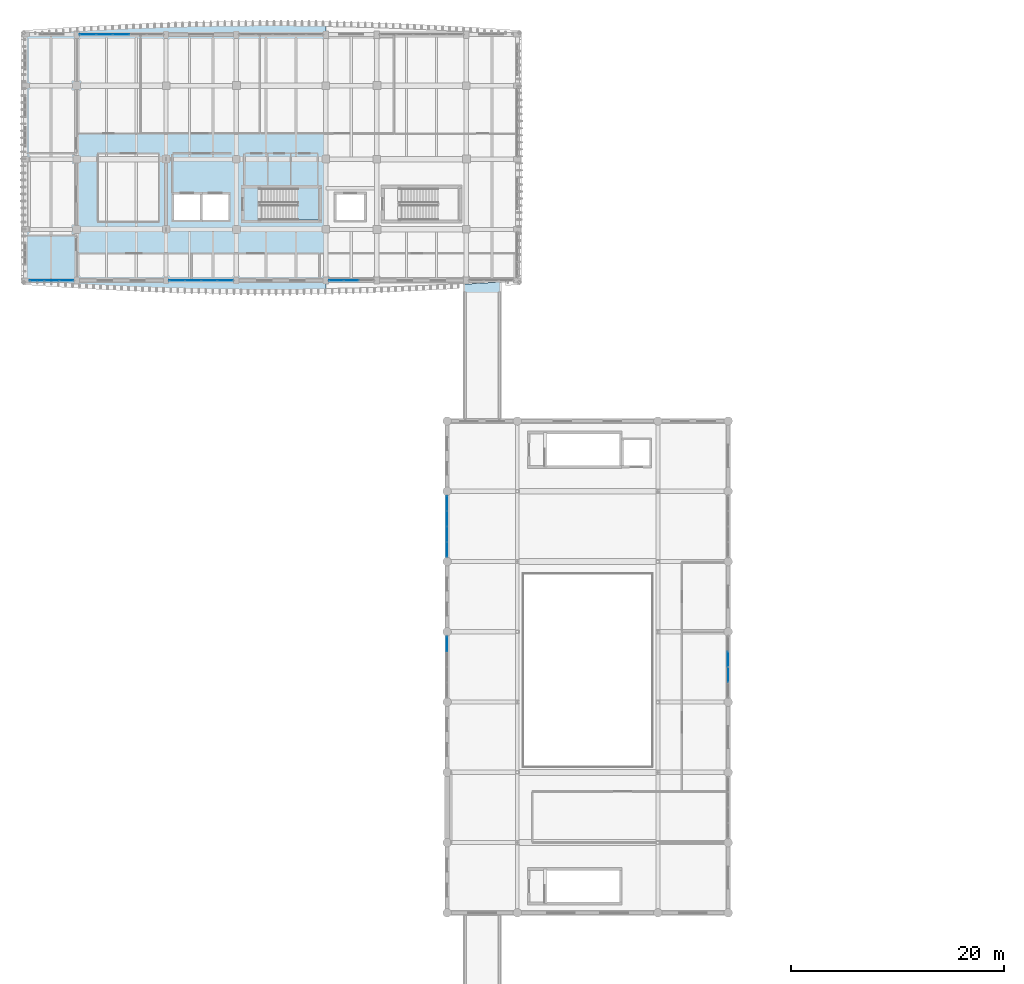
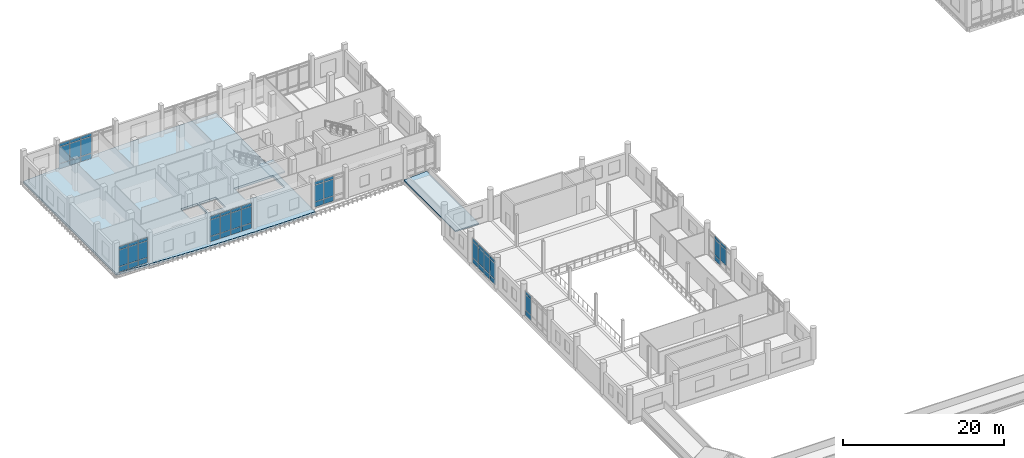
# One storey, part 35 of 76: 56 plates, 3 slabs, 8 elements without a shape of their own.
"""IFC4 building model written with IfcOpenShell, lengths in metres."""

from ifc_helpers import new_model, si_unit, direction, frame, origin, origin_2d, place, context, subcontext, project, spatial, polyline, rectangle, outline, extrude, material, layer, layer_set, type_object, element, aggregate, save


model = new_model("IFC4")

# Units and contexts
model_context = context("Model", 3, precision=1e-05, world=origin(), true_north=direction((0.0, 1.0)))
body_context = subcontext(model_context, "Body", "Model", "MODEL_VIEW")
ifc_project = project(units=[si_unit("LENGTHUNIT", "METRE"), si_unit("AREAUNIT", "SQUARE_METRE"), si_unit("VOLUMEUNIT", "CUBIC_METRE"), si_unit("PLANEANGLEUNIT", "RADIAN"), si_unit("MASSUNIT", "GRAM", prefix="KILO")], contexts=[model_context])

# Site, building, storey
site_placement = place(None, origin())
site = spatial("IfcSite", under=ifc_project, at=site_placement, CompositionType="ELEMENT")
building_placement = place(site_placement, origin())
building = spatial("IfcBuilding", under=site, at=building_placement, Name="Dornvale Research Institute", CompositionType="ELEMENT")
storey_placement = place(building_placement, frame((0.0, 0.0, 15.0)))
storey = spatial("IfcBuildingStorey", under=building, at=storey_placement, Name="L03", CompositionType="ELEMENT", Elevation=15.0)

# Curtain wall, plate
ifc_material_1 = material(Name="Low-E Argon Double Insulating Glazing Unit", Category="glass")
curtain_wall_type_1 = type_object("IfcCurtainWallType", Name="UnitisedCurtainWall_V2_5810x3820", PredefinedType="USERDEFINED", material=ifc_material_1)
curtain_wall_1_placement = place(storey_placement, origin())
curtain_wall_1 = element("IfcCurtainWall", 1, at=curtain_wall_1_placement, inside=storey, type_object=curtain_wall_type_1, Name="L03 V2 unitised curtain wall CW-03 #15", ObjectType="UNITISED CURTAIN WALL", PredefinedType="USERDEFINED")
ifc_material_2 = material(Name="Insulated Ceramic-Frit Spandrel Glass Panel", Category="glass")
ifc_layer_1 = layer(ifc_material_2, 0.0419921875)
ifc_layer_set_1 = layer_set([ifc_layer_1], Name="Insulated Ceramic-Frit Spandrel Glass Panel")
plate_type_1 = type_object("IfcPlateType", Name="CurtainPanel_Spandrel_42", PredefinedType="CURTAIN_PANEL", material=ifc_layer_set_1)
plate_1_placement = place(storey_placement, frame((39.60009765625, 64.862548828125, 0.06494140625), z_axis=(0.0, 0.0, 1.0), x_axis=(0.0, 1.0, 0.0)))
plate_1 = element("IfcPlate", 2, at=plate_1_placement, type_object=plate_type_1, Name="CW-03 panel 4.1", PredefinedType="CURTAIN_PANEL", context=body_context, shape_type="SweptSolid", body=[
    extrude(rectangle(XDim=1.35498046875, YDim=0.0419921875, at=origin_2d()), origin(), (0.0, 0.0, 1.0), 0.75244140625),
])

# Curtain wall, plates
curtain_wall_2_placement = place(storey_placement, origin())
curtain_wall_2 = element("IfcCurtainWall", 3, at=curtain_wall_2_placement, inside=storey, type_object=curtain_wall_type_1, Name="L03 V2 unitised curtain wall CW-03 #16", ObjectType="UNITISED CURTAIN WALL", PredefinedType="USERDEFINED")
plate_2_placement = place(storey_placement, frame((39.60009765625, 73.737548828125, 0.06494140625), z_axis=(0.0, 0.0, 1.0), x_axis=(0.0, 1.0, 0.0)))
plate_2 = element("IfcPlate", 4, at=plate_2_placement, type_object=plate_type_1, Name="CW-03 panel 1.1", PredefinedType="CURTAIN_PANEL", context=body_context, shape_type="SweptSolid", body=[
    extrude(rectangle(XDim=1.35498046875, YDim=0.0419921875, at=origin_2d()), origin(), (0.0, 0.0, 1.0), 0.75244140625),
])
plate_3_placement = place(storey_placement, frame((39.60009765625, 75.173828125, 0.06494140625), z_axis=(0.0, 0.0, 1.0), x_axis=(0.0, 1.0, 0.0)))
plate_3 = element("IfcPlate", 5, at=plate_3_placement, type_object=plate_type_1, Name="CW-03 panel 2.1", PredefinedType="CURTAIN_PANEL", context=body_context, shape_type="SweptSolid", body=[
    extrude(rectangle(XDim=1.387451171875, YDim=0.0419921875, at=origin_2d()), origin(), (0.0, 0.0, 1.0), 0.75244140625),
])
plate_4_placement = place(storey_placement, frame((39.60009765625, 76.626220703125, 0.06494140625), z_axis=(0.0, 0.0, 1.0), x_axis=(0.0, 1.0, 0.0)))
plate_4 = element("IfcPlate", 6, at=plate_4_placement, type_object=plate_type_1, Name="CW-03 panel 3.1", PredefinedType="CURTAIN_PANEL", context=body_context, shape_type="SweptSolid", body=[
    extrude(rectangle(XDim=1.387451171875, YDim=0.0419921875, at=origin_2d()), origin(), (0.0, 0.0, 1.0), 0.75244140625),
])
plate_5_placement = place(storey_placement, frame((39.60009765625, 78.0625, 0.06494140625), z_axis=(0.0, 0.0, 1.0), x_axis=(0.0, 1.0, 0.0)))
plate_5 = element("IfcPlate", 7, at=plate_5_placement, type_object=plate_type_1, Name="CW-03 panel 4.1", PredefinedType="CURTAIN_PANEL", context=body_context, shape_type="SweptSolid", body=[
    extrude(rectangle(XDim=1.35498046875, YDim=0.0419921875, at=origin_2d()), origin(), (0.0, 0.0, 1.0), 0.75244140625),
])

# Curtain wall, plate
curtain_wall_3_placement = place(storey_placement, origin())
curtain_wall_3 = element("IfcCurtainWall", 8, at=curtain_wall_3_placement, inside=storey, type_object=curtain_wall_type_1, Name="L03 V2 unitised curtain wall CW-03 #18", ObjectType="UNITISED CURTAIN WALL", PredefinedType="USERDEFINED")
plate_6_placement = place(storey_placement, frame((66.0, 63.42626953125, 0.06494140625), z_axis=(0.0, 0.0, 1.0), x_axis=(0.0, -1.0, 0.0)))
plate_6 = element("IfcPlate", 9, at=plate_6_placement, type_object=plate_type_1, Name="CW-03 panel 2.1", PredefinedType="CURTAIN_PANEL", context=body_context, shape_type="SweptSolid", body=[
    extrude(rectangle(XDim=1.387451171875, YDim=0.0419921875, at=origin_2d()), origin(), (0.0, 0.0, 1.0), 0.75244140625),
])

# Curtain wall, plates
ifc_material_3 = material(Name="Low-E Argon Double Insulating Glazing Unit", Category="glass")
curtain_wall_type_2 = type_object("IfcCurtainWallType", Name="UnitisedCurtainWall_V5_7900x3950", PredefinedType="USERDEFINED", material=ifc_material_3)
curtain_wall_4_placement = place(storey_placement, origin())
curtain_wall_4 = element("IfcCurtainWall", 10, at=curtain_wall_4_placement, inside=storey, type_object=curtain_wall_type_2, Name="L03 V5 unitised curtain wall CW-24 #148", ObjectType="UNITISED CURTAIN WALL", PredefinedType="USERDEFINED")
plate_7_placement = place(storey_placement, frame((5.856201171875, 122.10009765625, 0.06494140625), z_axis=(0.0, 0.0, 1.0), x_axis=(1.0, 0.0, 0.0)))
plate_7 = element("IfcPlate", 11, at=plate_7_placement, type_object=plate_type_1, Name="CW-24 panel 1.1", PredefinedType="CURTAIN_PANEL", context=body_context, shape_type="SweptSolid", body=[
    extrude(rectangle(XDim=1.482421875, YDim=0.0419921875, at=origin_2d()), origin(), (0.0, 0.0, 1.0), 0.75244140625),
])
plate_8_placement = place(storey_placement, frame((7.419921875, 122.10009765625, 0.06494140625), z_axis=(0.0, 0.0, 1.0), x_axis=(1.0, 0.0, 0.0)))
plate_8 = element("IfcPlate", 12, at=plate_8_placement, type_object=plate_type_1, Name="CW-24 panel 2.1", PredefinedType="CURTAIN_PANEL", context=body_context, shape_type="SweptSolid", body=[
    extrude(rectangle(XDim=1.514892578125, YDim=0.0419921875, at=origin_2d()), origin(), (0.0, 0.0, 1.0), 0.75244140625),
])
plate_9_placement = place(storey_placement, frame((9.0, 122.10009765625, 0.06494140625), z_axis=(0.0, 0.0, 1.0), x_axis=(1.0, 0.0, 0.0)))
plate_9 = element("IfcPlate", 13, at=plate_9_placement, type_object=plate_type_1, Name="CW-24 panel 3.1", PredefinedType="CURTAIN_PANEL", context=body_context, shape_type="SweptSolid", body=[
    extrude(rectangle(XDim=1.514892578125, YDim=0.0419921875, at=origin_2d()), origin(), (0.0, 0.0, 1.0), 0.75244140625),
])

ifc_material_4 = material(Name="Low-E Argon Double Insulating Glazing Unit", Category="glass")
curtain_wall_type_3 = type_object("IfcCurtainWallType", Name="UnitisedCurtainWall_V5_4300x3950", PredefinedType="USERDEFINED", material=ifc_material_4)
curtain_wall_5_placement = place(storey_placement, origin())
curtain_wall_5 = element("IfcCurtainWall", 14, at=curtain_wall_5_placement, inside=storey, type_object=curtain_wall_type_3, Name="L03 V5 unitised curtain wall CW-25 #154", ObjectType="UNITISED CURTAIN WALL", PredefinedType="USERDEFINED")
plate_10_placement = place(storey_placement, frame((30.60009765625, 99.0, 0.06494140625), z_axis=(0.0, 0.0, 1.0), x_axis=(-1.0, 0.0, 0.0)))
plate_10 = element("IfcPlate", 15, at=plate_10_placement, type_object=plate_type_1, Name="CW-25 panel 2.1", PredefinedType="CURTAIN_PANEL", context=body_context, shape_type="SweptSolid", body=[
    extrude(rectangle(XDim=1.368408203125, YDim=0.0419921875, at=origin_2d()), origin(), (0.0, 0.0, 1.0), 0.75244140625),
])
plate_11_placement = place(storey_placement, frame((29.182861328125, 99.0, 0.06494140625), z_axis=(0.0, 0.0, 1.0), x_axis=(-1.0, 0.0, 0.0)))
plate_11 = element("IfcPlate", 16, at=plate_11_placement, type_object=plate_type_1, Name="CW-25 panel 3.1", PredefinedType="CURTAIN_PANEL", context=body_context, shape_type="SweptSolid", body=[
    extrude(rectangle(XDim=1.3359375, YDim=0.0419921875, at=origin_2d()), origin(), (0.0, 0.0, 1.0), 0.75244140625),
])

ifc_material_5 = material(Name="Low-E Argon Double Insulating Glazing Unit", Category="glass")
curtain_wall_type_4 = type_object("IfcCurtainWallType", Name="UnitisedCurtainWall_V5_6100x3950", PredefinedType="USERDEFINED", material=ifc_material_5)
curtain_wall_6_placement = place(storey_placement, origin())
curtain_wall_6 = element("IfcCurtainWall", 17, at=curtain_wall_6_placement, inside=storey, type_object=curtain_wall_type_4, Name="L03 V5 unitised curtain wall CW-26 #155", ObjectType="UNITISED CURTAIN WALL", PredefinedType="USERDEFINED")
plate_12_placement = place(storey_placement, frame((18.771240234375, 99.0, 0.06494140625), z_axis=(0.0, 0.0, 1.0), x_axis=(-1.0, 0.0, 0.0)))
plate_12 = element("IfcPlate", 18, at=plate_12_placement, type_object=plate_type_1, Name="CW-26 panel 1.1", PredefinedType="CURTAIN_PANEL", context=body_context, shape_type="SweptSolid", body=[
    extrude(rectangle(XDim=1.427490234375, YDim=0.0419921875, at=origin_2d()), origin(), (0.0, 0.0, 1.0), 0.75244140625),
])
plate_13_placement = place(storey_placement, frame((17.262451171875, 99.0, 0.06494140625), z_axis=(0.0, 0.0, 1.0), x_axis=(-1.0, 0.0, 0.0)))
plate_13 = element("IfcPlate", 19, at=plate_13_placement, type_object=plate_type_1, Name="CW-26 panel 2.1", PredefinedType="CURTAIN_PANEL", context=body_context, shape_type="SweptSolid", body=[
    extrude(rectangle(XDim=1.4599609375, YDim=0.0419921875, at=origin_2d()), origin(), (0.0, 0.0, 1.0), 0.75244140625),
])
plate_14_placement = place(storey_placement, frame((15.737548828125, 99.0, 0.06494140625), z_axis=(0.0, 0.0, 1.0), x_axis=(-1.0, 0.0, 0.0)))
plate_14 = element("IfcPlate", 20, at=plate_14_placement, type_object=plate_type_1, Name="CW-26 panel 3.1", PredefinedType="CURTAIN_PANEL", context=body_context, shape_type="SweptSolid", body=[
    extrude(rectangle(XDim=1.4599609375, YDim=0.0419921875, at=origin_2d()), origin(), (0.0, 0.0, 1.0), 0.75244140625),
])
plate_15_placement = place(storey_placement, frame((14.228759765625, 99.0, 0.06494140625), z_axis=(0.0, 0.0, 1.0), x_axis=(-1.0, 0.0, 0.0)))
plate_15 = element("IfcPlate", 21, at=plate_15_placement, type_object=plate_type_1, Name="CW-26 panel 4.1", PredefinedType="CURTAIN_PANEL", context=body_context, shape_type="SweptSolid", body=[
    extrude(rectangle(XDim=1.427490234375, YDim=0.0419921875, at=origin_2d()), origin(), (0.0, 0.0, 1.0), 0.75244140625),
])

ifc_material_6 = material(Name="Low-E Argon Double Insulating Glazing Unit", Category="glass")
curtain_wall_type_5 = type_object("IfcCurtainWallType", Name="UnitisedCurtainWall_V5_4200x3950", PredefinedType="USERDEFINED", material=ifc_material_6)
curtain_wall_7_placement = place(storey_placement, origin())
curtain_wall_7 = element("IfcCurtainWall", 22, at=curtain_wall_7_placement, inside=storey, type_object=curtain_wall_type_5, Name="L03 V5 unitised curtain wall CW-27 #156", ObjectType="UNITISED CURTAIN WALL", PredefinedType="USERDEFINED")
plate_16_placement = place(storey_placement, frame((3.833740234375, 99.0, 0.06494140625), z_axis=(0.0, 0.0, 1.0), x_axis=(-1.0, 0.0, 0.0)))
plate_16 = element("IfcPlate", 23, at=plate_16_placement, type_object=plate_type_1, Name="CW-27 panel 1.1", PredefinedType="CURTAIN_PANEL", context=body_context, shape_type="SweptSolid", body=[
    extrude(rectangle(XDim=1.302490234375, YDim=0.0419921875, at=origin_2d()), origin(), (0.0, 0.0, 1.0), 0.75244140625),
])
plate_17_placement = place(storey_placement, frame((2.449951171875, 99.0, 0.06494140625), z_axis=(0.0, 0.0, 1.0), x_axis=(-1.0, 0.0, 0.0)))
plate_17 = element("IfcPlate", 24, at=plate_17_placement, type_object=plate_type_1, Name="CW-27 panel 2.1", PredefinedType="CURTAIN_PANEL", context=body_context, shape_type="SweptSolid", body=[
    extrude(rectangle(XDim=1.3349609375, YDim=0.0419921875, at=origin_2d()), origin(), (0.0, 0.0, 1.0), 0.75244140625),
])
plate_18_placement = place(storey_placement, frame((1.066162109375, 99.0, 0.06494140625), z_axis=(0.0, 0.0, 1.0), x_axis=(-1.0, 0.0, 0.0)))
plate_18 = element("IfcPlate", 25, at=plate_18_placement, type_object=plate_type_1, Name="CW-27 panel 3.1", PredefinedType="CURTAIN_PANEL", context=body_context, shape_type="SweptSolid", body=[
    extrude(rectangle(XDim=1.302490234375, YDim=0.0419921875, at=origin_2d()), origin(), (0.0, 0.0, 1.0), 0.75244140625),
])

# Plate
ifc_material_7 = material(Name="Low-E Argon Double Insulating Glazing Unit", Category="glass")
ifc_layer_2 = layer(ifc_material_7, 0.028076171875)
ifc_layer_set_2 = layer_set([ifc_layer_2], Name="Low-E Argon Double Insulating Glazing Unit")
plate_type_2 = type_object("IfcPlateType", Name="CurtainPanel_Vision_28", PredefinedType="CURTAIN_PANEL", material=ifc_layer_set_2)
plate_19_placement = place(storey_placement, frame((39.60009765625, 64.862548828125, 0.882568359375), z_axis=(0.0, 0.0, 1.0), x_axis=(0.0, 1.0, 0.0)))
plate_19 = element("IfcPlate", 26, at=plate_19_placement, type_object=plate_type_2, Name="CW-03 panel 4.2", PredefinedType="CURTAIN_PANEL", context=body_context, shape_type="SweptSolid", body=[
    extrude(rectangle(XDim=1.35498046875, YDim=0.028076171875, at=origin_2d()), origin(), (0.0, 0.0, 1.0), 2.35498046875),
])

plate_20_placement = place(storey_placement, frame((39.60009765625, 64.862548828125, 3.302734375), z_axis=(0.0, 0.0, 1.0), x_axis=(0.0, 1.0, 0.0)))
plate_20 = element("IfcPlate", 27, at=plate_20_placement, type_object=plate_type_2, Name="CW-03 panel 4.3", PredefinedType="CURTAIN_PANEL", context=body_context, shape_type="SweptSolid", body=[
    extrude(rectangle(XDim=1.35498046875, YDim=0.028076171875, at=origin_2d()), origin(), (0.0, 0.0, 1.0), 0.452392578125),
])

aggregate(curtain_wall_1, [plate_1, plate_19, plate_20])

plate_21_placement = place(storey_placement, frame((39.60009765625, 73.737548828125, 0.882568359375), z_axis=(0.0, 0.0, 1.0), x_axis=(0.0, 1.0, 0.0)))
plate_21 = element("IfcPlate", 28, at=plate_21_placement, type_object=plate_type_2, Name="CW-03 panel 1.2", PredefinedType="CURTAIN_PANEL", context=body_context, shape_type="SweptSolid", body=[
    extrude(rectangle(XDim=1.35498046875, YDim=0.028076171875, at=origin_2d()), origin(), (0.0, 0.0, 1.0), 2.35498046875),
])

plate_22_placement = place(storey_placement, frame((39.60009765625, 73.737548828125, 3.302734375), z_axis=(0.0, 0.0, 1.0), x_axis=(0.0, 1.0, 0.0)))
plate_22 = element("IfcPlate", 29, at=plate_22_placement, type_object=plate_type_2, Name="CW-03 panel 1.3", PredefinedType="CURTAIN_PANEL", context=body_context, shape_type="SweptSolid", body=[
    extrude(rectangle(XDim=1.35498046875, YDim=0.028076171875, at=origin_2d()), origin(), (0.0, 0.0, 1.0), 0.452392578125),
])

plate_23_placement = place(storey_placement, frame((39.60009765625, 75.173828125, 0.882568359375), z_axis=(0.0, 0.0, 1.0), x_axis=(0.0, 1.0, 0.0)))
plate_23 = element("IfcPlate", 30, at=plate_23_placement, type_object=plate_type_2, Name="CW-03 panel 2.2", PredefinedType="CURTAIN_PANEL", context=body_context, shape_type="SweptSolid", body=[
    extrude(rectangle(XDim=1.387451171875, YDim=0.028076171875, at=origin_2d()), origin(), (0.0, 0.0, 1.0), 2.35498046875),
])

plate_24_placement = place(storey_placement, frame((39.60009765625, 75.173828125, 3.302734375), z_axis=(0.0, 0.0, 1.0), x_axis=(0.0, 1.0, 0.0)))
plate_24 = element("IfcPlate", 31, at=plate_24_placement, type_object=plate_type_2, Name="CW-03 panel 2.3", PredefinedType="CURTAIN_PANEL", context=body_context, shape_type="SweptSolid", body=[
    extrude(rectangle(XDim=1.387451171875, YDim=0.028076171875, at=origin_2d()), origin(), (0.0, 0.0, 1.0), 0.452392578125),
])

plate_25_placement = place(storey_placement, frame((39.60009765625, 76.626220703125, 0.882568359375), z_axis=(0.0, 0.0, 1.0), x_axis=(0.0, 1.0, 0.0)))
plate_25 = element("IfcPlate", 32, at=plate_25_placement, type_object=plate_type_2, Name="CW-03 panel 3.2", PredefinedType="CURTAIN_PANEL", context=body_context, shape_type="SweptSolid", body=[
    extrude(rectangle(XDim=1.387451171875, YDim=0.028076171875, at=origin_2d()), origin(), (0.0, 0.0, 1.0), 2.35498046875),
])

plate_26_placement = place(storey_placement, frame((39.60009765625, 76.626220703125, 3.302734375), z_axis=(0.0, 0.0, 1.0), x_axis=(0.0, 1.0, 0.0)))
plate_26 = element("IfcPlate", 33, at=plate_26_placement, type_object=plate_type_2, Name="CW-03 panel 3.3", PredefinedType="CURTAIN_PANEL", context=body_context, shape_type="SweptSolid", body=[
    extrude(rectangle(XDim=1.387451171875, YDim=0.028076171875, at=origin_2d()), origin(), (0.0, 0.0, 1.0), 0.452392578125),
])

plate_27_placement = place(storey_placement, frame((39.60009765625, 78.0625, 0.882568359375), z_axis=(0.0, 0.0, 1.0), x_axis=(0.0, 1.0, 0.0)))
plate_27 = element("IfcPlate", 34, at=plate_27_placement, type_object=plate_type_2, Name="CW-03 panel 4.2", PredefinedType="CURTAIN_PANEL", context=body_context, shape_type="SweptSolid", body=[
    extrude(rectangle(XDim=1.35498046875, YDim=0.028076171875, at=origin_2d()), origin(), (0.0, 0.0, 1.0), 2.35498046875),
])

plate_28_placement = place(storey_placement, frame((39.60009765625, 78.0625, 3.302734375), z_axis=(0.0, 0.0, 1.0), x_axis=(0.0, 1.0, 0.0)))
plate_28 = element("IfcPlate", 35, at=plate_28_placement, type_object=plate_type_2, Name="CW-03 panel 4.3", PredefinedType="CURTAIN_PANEL", context=body_context, shape_type="SweptSolid", body=[
    extrude(rectangle(XDim=1.35498046875, YDim=0.028076171875, at=origin_2d()), origin(), (0.0, 0.0, 1.0), 0.452392578125),
])

aggregate(curtain_wall_2, [plate_2, plate_21, plate_22, plate_3, plate_23, plate_24, plate_4, plate_25, plate_26, plate_5, plate_27, plate_28])

plate_29_placement = place(storey_placement, frame((66.0, 63.42626953125, 0.882568359375), z_axis=(0.0, 0.0, 1.0), x_axis=(0.0, -1.0, 0.0)))
plate_29 = element("IfcPlate", 36, at=plate_29_placement, type_object=plate_type_2, Name="CW-03 panel 2.2", PredefinedType="CURTAIN_PANEL", context=body_context, shape_type="SweptSolid", body=[
    extrude(rectangle(XDim=1.387451171875, YDim=0.028076171875, at=origin_2d()), origin(), (0.0, 0.0, 1.0), 2.35498046875),
])

plate_30_placement = place(storey_placement, frame((66.0, 63.42626953125, 3.302734375), z_axis=(0.0, 0.0, 1.0), x_axis=(0.0, -1.0, 0.0)))
plate_30 = element("IfcPlate", 37, at=plate_30_placement, type_object=plate_type_2, Name="CW-03 panel 2.3", PredefinedType="CURTAIN_PANEL", context=body_context, shape_type="SweptSolid", body=[
    extrude(rectangle(XDim=1.387451171875, YDim=0.028076171875, at=origin_2d()), origin(), (0.0, 0.0, 1.0), 0.452392578125),
])

plate_31_placement = place(storey_placement, frame((66.0, 61.9736328125, 0.882568359375), z_axis=(0.0, 0.0, 1.0), x_axis=(0.0, -1.0, 0.0)))
plate_31 = element("IfcPlate", 38, at=plate_31_placement, type_object=plate_type_2, Name="CW-03 panel 3.2", PredefinedType="CURTAIN_PANEL", context=body_context, shape_type="SweptSolid", body=[
    extrude(rectangle(XDim=1.387451171875, YDim=0.028076171875, at=origin_2d()), origin(), (0.0, 0.0, 1.0), 2.35498046875),
])

plate_32_placement = place(storey_placement, frame((66.0, 61.9736328125, 3.302734375), z_axis=(0.0, 0.0, 1.0), x_axis=(0.0, -1.0, 0.0)))
plate_32 = element("IfcPlate", 39, at=plate_32_placement, type_object=plate_type_2, Name="CW-03 panel 3.3", PredefinedType="CURTAIN_PANEL", context=body_context, shape_type="SweptSolid", body=[
    extrude(rectangle(XDim=1.387451171875, YDim=0.028076171875, at=origin_2d()), origin(), (0.0, 0.0, 1.0), 0.452392578125),
])

aggregate(curtain_wall_3, [plate_6, plate_29, plate_30, plate_31, plate_32])

plate_33_placement = place(storey_placement, frame((5.856201171875, 122.10009765625, 0.88232421875), z_axis=(0.0, 0.0, 1.0), x_axis=(1.0, 0.0, 0.0)))
plate_33 = element("IfcPlate", 40, at=plate_33_placement, type_object=plate_type_2, Name="CW-24 panel 1.2", PredefinedType="CURTAIN_PANEL", context=body_context, shape_type="SweptSolid", body=[
    extrude(rectangle(XDim=1.482421875, YDim=0.028076171875, at=origin_2d()), origin(), (0.0, 0.0, 1.0), 2.485107421875),
])

plate_34_placement = place(storey_placement, frame((5.856201171875, 122.10009765625, 3.4326171875), z_axis=(0.0, 0.0, 1.0), x_axis=(1.0, 0.0, 0.0)))
plate_34 = element("IfcPlate", 41, at=plate_34_placement, type_object=plate_type_2, Name="CW-24 panel 1.3", PredefinedType="CURTAIN_PANEL", context=body_context, shape_type="SweptSolid", body=[
    extrude(rectangle(XDim=1.482421875, YDim=0.028076171875, at=origin_2d()), origin(), (0.0, 0.0, 1.0), 0.452392578125),
])

plate_35_placement = place(storey_placement, frame((7.419921875, 122.10009765625, 0.88232421875), z_axis=(0.0, 0.0, 1.0), x_axis=(1.0, 0.0, 0.0)))
plate_35 = element("IfcPlate", 42, at=plate_35_placement, type_object=plate_type_2, Name="CW-24 panel 2.2", PredefinedType="CURTAIN_PANEL", context=body_context, shape_type="SweptSolid", body=[
    extrude(rectangle(XDim=1.514892578125, YDim=0.028076171875, at=origin_2d()), origin(), (0.0, 0.0, 1.0), 2.485107421875),
])

plate_36_placement = place(storey_placement, frame((7.419921875, 122.10009765625, 3.4326171875), z_axis=(0.0, 0.0, 1.0), x_axis=(1.0, 0.0, 0.0)))
plate_36 = element("IfcPlate", 43, at=plate_36_placement, type_object=plate_type_2, Name="CW-24 panel 2.3", PredefinedType="CURTAIN_PANEL", context=body_context, shape_type="SweptSolid", body=[
    extrude(rectangle(XDim=1.514892578125, YDim=0.028076171875, at=origin_2d()), origin(), (0.0, 0.0, 1.0), 0.452392578125),
])

plate_37_placement = place(storey_placement, frame((9.0, 122.10009765625, 0.88232421875), z_axis=(0.0, 0.0, 1.0), x_axis=(1.0, 0.0, 0.0)))
plate_37 = element("IfcPlate", 44, at=plate_37_placement, type_object=plate_type_2, Name="CW-24 panel 3.2", PredefinedType="CURTAIN_PANEL", context=body_context, shape_type="SweptSolid", body=[
    extrude(rectangle(XDim=1.514892578125, YDim=0.028076171875, at=origin_2d()), origin(), (0.0, 0.0, 1.0), 2.485107421875),
])

plate_38_placement = place(storey_placement, frame((9.0, 122.10009765625, 3.4326171875), z_axis=(0.0, 0.0, 1.0), x_axis=(1.0, 0.0, 0.0)))
plate_38 = element("IfcPlate", 45, at=plate_38_placement, type_object=plate_type_2, Name="CW-24 panel 3.3", PredefinedType="CURTAIN_PANEL", context=body_context, shape_type="SweptSolid", body=[
    extrude(rectangle(XDim=1.514892578125, YDim=0.028076171875, at=origin_2d()), origin(), (0.0, 0.0, 1.0), 0.452392578125),
])

aggregate(curtain_wall_4, [plate_7, plate_33, plate_34, plate_8, plate_35, plate_36, plate_9, plate_37, plate_38])

plate_39_placement = place(storey_placement, frame((30.60009765625, 99.0, 0.88232421875), z_axis=(0.0, 0.0, 1.0), x_axis=(-1.0, 0.0, 0.0)))
plate_39 = element("IfcPlate", 46, at=plate_39_placement, type_object=plate_type_2, Name="CW-25 panel 2.2", PredefinedType="CURTAIN_PANEL", context=body_context, shape_type="SweptSolid", body=[
    extrude(rectangle(XDim=1.368408203125, YDim=0.028076171875, at=origin_2d()), origin(), (0.0, 0.0, 1.0), 2.485107421875),
])

plate_40_placement = place(storey_placement, frame((30.60009765625, 99.0, 3.4326171875), z_axis=(0.0, 0.0, 1.0), x_axis=(-1.0, 0.0, 0.0)))
plate_40 = element("IfcPlate", 47, at=plate_40_placement, type_object=plate_type_2, Name="CW-25 panel 2.3", PredefinedType="CURTAIN_PANEL", context=body_context, shape_type="SweptSolid", body=[
    extrude(rectangle(XDim=1.368408203125, YDim=0.028076171875, at=origin_2d()), origin(), (0.0, 0.0, 1.0), 0.452392578125),
])

plate_41_placement = place(storey_placement, frame((29.182861328125, 99.0, 0.88232421875), z_axis=(0.0, 0.0, 1.0), x_axis=(-1.0, 0.0, 0.0)))
plate_41 = element("IfcPlate", 48, at=plate_41_placement, type_object=plate_type_2, Name="CW-25 panel 3.2", PredefinedType="CURTAIN_PANEL", context=body_context, shape_type="SweptSolid", body=[
    extrude(rectangle(XDim=1.3359375, YDim=0.028076171875, at=origin_2d()), origin(), (0.0, 0.0, 1.0), 2.485107421875),
])

plate_42_placement = place(storey_placement, frame((29.182861328125, 99.0, 3.4326171875), z_axis=(0.0, 0.0, 1.0), x_axis=(-1.0, 0.0, 0.0)))
plate_42 = element("IfcPlate", 49, at=plate_42_placement, type_object=plate_type_2, Name="CW-25 panel 3.3", PredefinedType="CURTAIN_PANEL", context=body_context, shape_type="SweptSolid", body=[
    extrude(rectangle(XDim=1.3359375, YDim=0.028076171875, at=origin_2d()), origin(), (0.0, 0.0, 1.0), 0.452392578125),
])

aggregate(curtain_wall_5, [plate_10, plate_39, plate_40, plate_11, plate_41, plate_42])

plate_43_placement = place(storey_placement, frame((18.771240234375, 99.0, 0.88232421875), z_axis=(0.0, 0.0, 1.0), x_axis=(-1.0, 0.0, 0.0)))
plate_43 = element("IfcPlate", 50, at=plate_43_placement, type_object=plate_type_2, Name="CW-26 panel 1.2", PredefinedType="CURTAIN_PANEL", context=body_context, shape_type="SweptSolid", body=[
    extrude(rectangle(XDim=1.427490234375, YDim=0.028076171875, at=origin_2d()), origin(), (0.0, 0.0, 1.0), 2.485107421875),
])

plate_44_placement = place(storey_placement, frame((18.771240234375, 99.0, 3.4326171875), z_axis=(0.0, 0.0, 1.0), x_axis=(-1.0, 0.0, 0.0)))
plate_44 = element("IfcPlate", 51, at=plate_44_placement, type_object=plate_type_2, Name="CW-26 panel 1.3", PredefinedType="CURTAIN_PANEL", context=body_context, shape_type="SweptSolid", body=[
    extrude(rectangle(XDim=1.427490234375, YDim=0.028076171875, at=origin_2d()), origin(), (0.0, 0.0, 1.0), 0.452392578125),
])

plate_45_placement = place(storey_placement, frame((17.262451171875, 99.0, 0.88232421875), z_axis=(0.0, 0.0, 1.0), x_axis=(-1.0, 0.0, 0.0)))
plate_45 = element("IfcPlate", 52, at=plate_45_placement, type_object=plate_type_2, Name="CW-26 panel 2.2", PredefinedType="CURTAIN_PANEL", context=body_context, shape_type="SweptSolid", body=[
    extrude(rectangle(XDim=1.4599609375, YDim=0.028076171875, at=origin_2d()), origin(), (0.0, 0.0, 1.0), 2.485107421875),
])

plate_46_placement = place(storey_placement, frame((17.262451171875, 99.0, 3.4326171875), z_axis=(0.0, 0.0, 1.0), x_axis=(-1.0, 0.0, 0.0)))
plate_46 = element("IfcPlate", 53, at=plate_46_placement, type_object=plate_type_2, Name="CW-26 panel 2.3", PredefinedType="CURTAIN_PANEL", context=body_context, shape_type="SweptSolid", body=[
    extrude(rectangle(XDim=1.4599609375, YDim=0.028076171875, at=origin_2d()), origin(), (0.0, 0.0, 1.0), 0.452392578125),
])

plate_47_placement = place(storey_placement, frame((15.737548828125, 99.0, 0.88232421875), z_axis=(0.0, 0.0, 1.0), x_axis=(-1.0, 0.0, 0.0)))
plate_47 = element("IfcPlate", 54, at=plate_47_placement, type_object=plate_type_2, Name="CW-26 panel 3.2", PredefinedType="CURTAIN_PANEL", context=body_context, shape_type="SweptSolid", body=[
    extrude(rectangle(XDim=1.4599609375, YDim=0.028076171875, at=origin_2d()), origin(), (0.0, 0.0, 1.0), 2.485107421875),
])

plate_48_placement = place(storey_placement, frame((15.737548828125, 99.0, 3.4326171875), z_axis=(0.0, 0.0, 1.0), x_axis=(-1.0, 0.0, 0.0)))
plate_48 = element("IfcPlate", 55, at=plate_48_placement, type_object=plate_type_2, Name="CW-26 panel 3.3", PredefinedType="CURTAIN_PANEL", context=body_context, shape_type="SweptSolid", body=[
    extrude(rectangle(XDim=1.4599609375, YDim=0.028076171875, at=origin_2d()), origin(), (0.0, 0.0, 1.0), 0.452392578125),
])

plate_49_placement = place(storey_placement, frame((14.228759765625, 99.0, 0.88232421875), z_axis=(0.0, 0.0, 1.0), x_axis=(-1.0, 0.0, 0.0)))
plate_49 = element("IfcPlate", 56, at=plate_49_placement, type_object=plate_type_2, Name="CW-26 panel 4.2", PredefinedType="CURTAIN_PANEL", context=body_context, shape_type="SweptSolid", body=[
    extrude(rectangle(XDim=1.427490234375, YDim=0.028076171875, at=origin_2d()), origin(), (0.0, 0.0, 1.0), 2.485107421875),
])

plate_50_placement = place(storey_placement, frame((14.228759765625, 99.0, 3.4326171875), z_axis=(0.0, 0.0, 1.0), x_axis=(-1.0, 0.0, 0.0)))
plate_50 = element("IfcPlate", 57, at=plate_50_placement, type_object=plate_type_2, Name="CW-26 panel 4.3", PredefinedType="CURTAIN_PANEL", context=body_context, shape_type="SweptSolid", body=[
    extrude(rectangle(XDim=1.427490234375, YDim=0.028076171875, at=origin_2d()), origin(), (0.0, 0.0, 1.0), 0.452392578125),
])

aggregate(curtain_wall_6, [plate_12, plate_43, plate_44, plate_13, plate_45, plate_46, plate_14, plate_47, plate_48, plate_15, plate_49, plate_50])

plate_51_placement = place(storey_placement, frame((3.833740234375, 99.0, 0.88232421875), z_axis=(0.0, 0.0, 1.0), x_axis=(-1.0, 0.0, 0.0)))
plate_51 = element("IfcPlate", 58, at=plate_51_placement, type_object=plate_type_2, Name="CW-27 panel 1.2", PredefinedType="CURTAIN_PANEL", context=body_context, shape_type="SweptSolid", body=[
    extrude(rectangle(XDim=1.302490234375, YDim=0.028076171875, at=origin_2d()), origin(), (0.0, 0.0, 1.0), 2.485107421875),
])

plate_52_placement = place(storey_placement, frame((3.833740234375, 99.0, 3.4326171875), z_axis=(0.0, 0.0, 1.0), x_axis=(-1.0, 0.0, 0.0)))
plate_52 = element("IfcPlate", 59, at=plate_52_placement, type_object=plate_type_2, Name="CW-27 panel 1.3", PredefinedType="CURTAIN_PANEL", context=body_context, shape_type="SweptSolid", body=[
    extrude(rectangle(XDim=1.302490234375, YDim=0.028076171875, at=origin_2d()), origin(), (0.0, 0.0, 1.0), 0.452392578125),
])

plate_53_placement = place(storey_placement, frame((2.449951171875, 99.0, 0.88232421875), z_axis=(0.0, 0.0, 1.0), x_axis=(-1.0, 0.0, 0.0)))
plate_53 = element("IfcPlate", 60, at=plate_53_placement, type_object=plate_type_2, Name="CW-27 panel 2.2", PredefinedType="CURTAIN_PANEL", context=body_context, shape_type="SweptSolid", body=[
    extrude(rectangle(XDim=1.3349609375, YDim=0.028076171875, at=origin_2d()), origin(), (0.0, 0.0, 1.0), 2.485107421875),
])

plate_54_placement = place(storey_placement, frame((2.449951171875, 99.0, 3.4326171875), z_axis=(0.0, 0.0, 1.0), x_axis=(-1.0, 0.0, 0.0)))
plate_54 = element("IfcPlate", 61, at=plate_54_placement, type_object=plate_type_2, Name="CW-27 panel 2.3", PredefinedType="CURTAIN_PANEL", context=body_context, shape_type="SweptSolid", body=[
    extrude(rectangle(XDim=1.3349609375, YDim=0.028076171875, at=origin_2d()), origin(), (0.0, 0.0, 1.0), 0.452392578125),
])

plate_55_placement = place(storey_placement, frame((1.066162109375, 99.0, 0.88232421875), z_axis=(0.0, 0.0, 1.0), x_axis=(-1.0, 0.0, 0.0)))
plate_55 = element("IfcPlate", 62, at=plate_55_placement, type_object=plate_type_2, Name="CW-27 panel 3.2", PredefinedType="CURTAIN_PANEL", context=body_context, shape_type="SweptSolid", body=[
    extrude(rectangle(XDim=1.302490234375, YDim=0.028076171875, at=origin_2d()), origin(), (0.0, 0.0, 1.0), 2.485107421875),
])

plate_56_placement = place(storey_placement, frame((1.066162109375, 99.0, 3.4326171875), z_axis=(0.0, 0.0, 1.0), x_axis=(-1.0, 0.0, 0.0)))
plate_56 = element("IfcPlate", 63, at=plate_56_placement, type_object=plate_type_2, Name="CW-27 panel 3.3", PredefinedType="CURTAIN_PANEL", context=body_context, shape_type="SweptSolid", body=[
    extrude(rectangle(XDim=1.302490234375, YDim=0.028076171875, at=origin_2d()), origin(), (0.0, 0.0, 1.0), 0.452392578125),
])

aggregate(curtain_wall_7, [plate_16, plate_51, plate_52, plate_17, plate_53, plate_54, plate_18, plate_55, plate_56])

# Slab
ifc_material_8 = material(Name="Concrete f'c 45 MPa (C35/45)", Category="concrete")
ifc_layer_3 = layer(ifc_material_8, 0.320068359375)
ifc_layer_set_3 = layer_set([ifc_layer_3], Name="Concrete f'c 45 MPa (C35/45)")
slab_type_1 = type_object("IfcSlabType", Name="FloorSlab_Lab_320", PredefinedType="FLOOR", material=ifc_layer_set_3)
slab_1_placement = place(storey_placement, frame((0.0, 0.0, -0.320068359375)))
element("IfcSlab", 64, at=slab_1_placement, inside=storey, type_object=slab_type_1, Name="L03 V5 W floor slab", PredefinedType="FLOOR", context=body_context, shape_type="SweptSolid", body=[
    extrude(outline(polyline([(28.050048828125, 98.18896484375), (26.39990234375, 98.167236328125), (24.75, 98.154296875), (23.10009765625, 98.14990234375), (21.449951171875, 98.154296875), (19.800048828125, 98.167236328125), (18.14990234375, 98.18896484375), (16.5, 98.219482421875), (14.85009765625, 98.25830078125), (13.199951171875, 98.30615234375), (11.550048828125, 98.362548828125), (9.89990234375, 98.427490234375), (8.25, 98.501220703125), (6.60009765625, 98.583740234375), (4.949951171875, 98.6748046875), (3.300048828125, 98.7744140625), (1.64990234375, 98.8828125), (0.0, 99.0), (0.0, 122.10009765625), (1.64990234375, 122.217041015625), (3.300048828125, 122.325439453125), (4.949951171875, 122.42529296875), (6.60009765625, 122.516357421875), (8.25, 122.5986328125), (9.89990234375, 122.67236328125), (11.550048828125, 122.737548828125), (13.199951171875, 122.7939453125), (14.85009765625, 122.841552734375), (16.5, 122.880615234375), (18.14990234375, 122.910888671875), (19.800048828125, 122.9326171875), (21.449951171875, 122.94580078125), (23.10009765625, 122.949951171875), (24.75, 122.94580078125), (26.39990234375, 122.9326171875), (28.050048828125, 122.910888671875), (28.199951171875, 122.908203125), (28.199951171875, 98.19189453125), (28.050048828125, 98.18896484375)]), holes=[polyline([(21.949951171875, 104.699951171875), (27.550048828125, 104.699951171875), (27.550048828125, 107.659912109375), (21.949951171875, 107.659912109375), (21.949951171875, 104.699951171875)]), polyline([(13.949951171875, 104.699951171875), (16.39990234375, 104.699951171875), (16.39990234375, 107.10009765625), (13.949951171875, 107.10009765625), (13.949951171875, 104.699951171875)]), polyline([(16.60009765625, 104.699951171875), (19.050048828125, 104.699951171875), (19.050048828125, 107.10009765625), (16.60009765625, 107.10009765625), (16.60009765625, 104.699951171875)])]), origin(), (0.0, 0.0, 1.0), 0.320068359375),
])

# Stair, slab
ifc_material_9 = material(Name="Concrete f'c 45 MPa (C35/45)", Category="concrete")
stair_type = type_object("IfcStairType", Name="HalfTurnStair_RC", PredefinedType="HALF_TURN_STAIR", material=ifc_material_9)
stair_placement = place(storey_placement, origin())
stair = element("IfcStair", 65, at=stair_placement, inside=storey, type_object=stair_type, Name="L03 Exit stair ST-1", PredefinedType="HALF_TURN_STAIR")
ifc_material_10 = material(Name="Concrete f'c 45 MPa (C35/45)", Category="concrete")
ifc_layer_4 = layer(ifc_material_10, 0.199951171875)
ifc_layer_set_4 = layer_set([ifc_layer_4], Name="Concrete f'c 45 MPa (C35/45)")
slab_type_2 = type_object("IfcSlabType", Name="Landing_Stair_200", PredefinedType="LANDING", material=ifc_layer_set_4)
slab_2_placement = place(storey_placement, frame((0.0, 0.0, 2.199951171875)))
slab_2 = element("IfcSlab", 66, at=slab_2_placement, type_object=slab_type_2, Name="ST-1 landing 1", PredefinedType="LANDING", context=body_context, shape_type="SweptSolid", body=[
    extrude(outline(polyline([(25.56005859375, 104.669921875), (25.56005859375, 107.68994140625), (27.580078125, 107.68994140625), (27.580078125, 104.669921875), (25.56005859375, 104.669921875)])), origin(), (0.0, 0.0, 1.0), 0.199951171875),
])
aggregate(stair, [slab_2])

# Slab
ifc_material_11 = material(Name="Concrete f'c 45 MPa (C35/45)", Category="concrete")
ifc_layer_5 = layer(ifc_material_11, 0.179931640625)
ifc_layer_set_5 = layer_set([ifc_layer_5], Name="Concrete f'c 45 MPa (C35/45)")
slab_type_3 = type_object("IfcSlabType", Name="RoofSlab_Bridge_180", PredefinedType="ROOF", material=ifc_layer_set_5)
slab_3_placement = place(storey_placement, frame((0.0, 0.0, -0.179931640625)))
element("IfcSlab", 67, at=slab_3_placement, inside=storey, type_object=slab_type_3, Name="L03 link bridge roof BR-4", PredefinedType="ROOF", context=body_context, shape_type="SweptSolid", body=[
    extrude(outline(polyline([(41.199951171875, 85.820068359375), (41.199951171875, 98.65185546875), (41.251220703125, 98.65478515625), (41.251220703125, 98.65478515625), (42.901123046875, 98.75439453125), (42.9013671875, 98.75439453125), (44.55126953125, 98.86279296875), (44.551513671875, 98.863037109375), (44.60009765625, 98.866455078125), (44.60009765625, 85.820068359375), (41.199951171875, 85.820068359375)])), origin(), (0.0, 0.0, 1.0), 0.179931640625),
])

save(model, "model.ifc")
